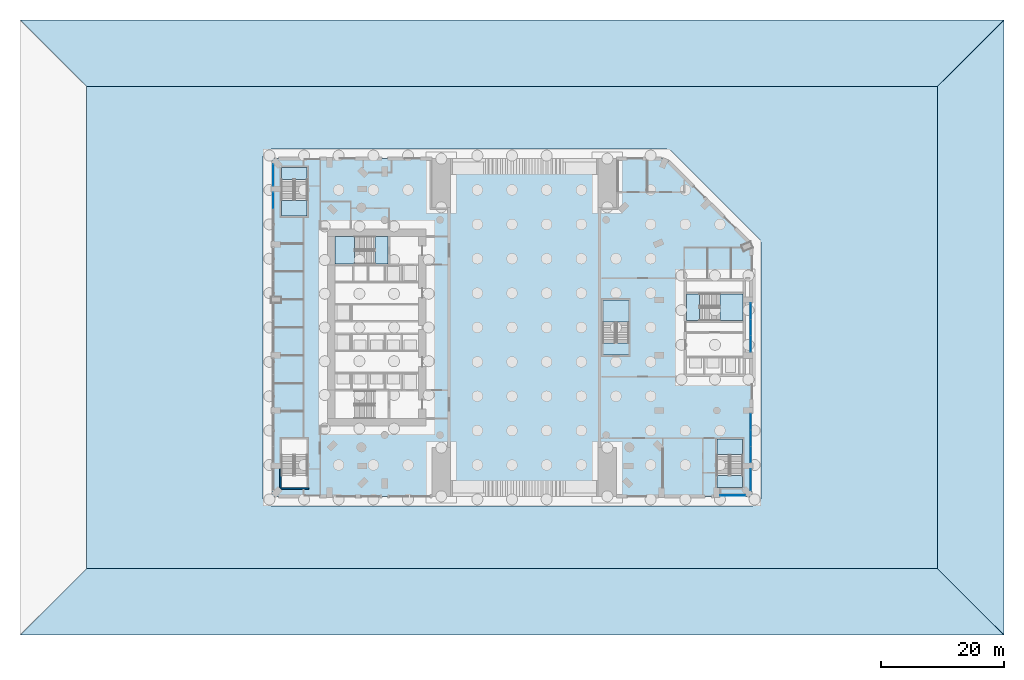
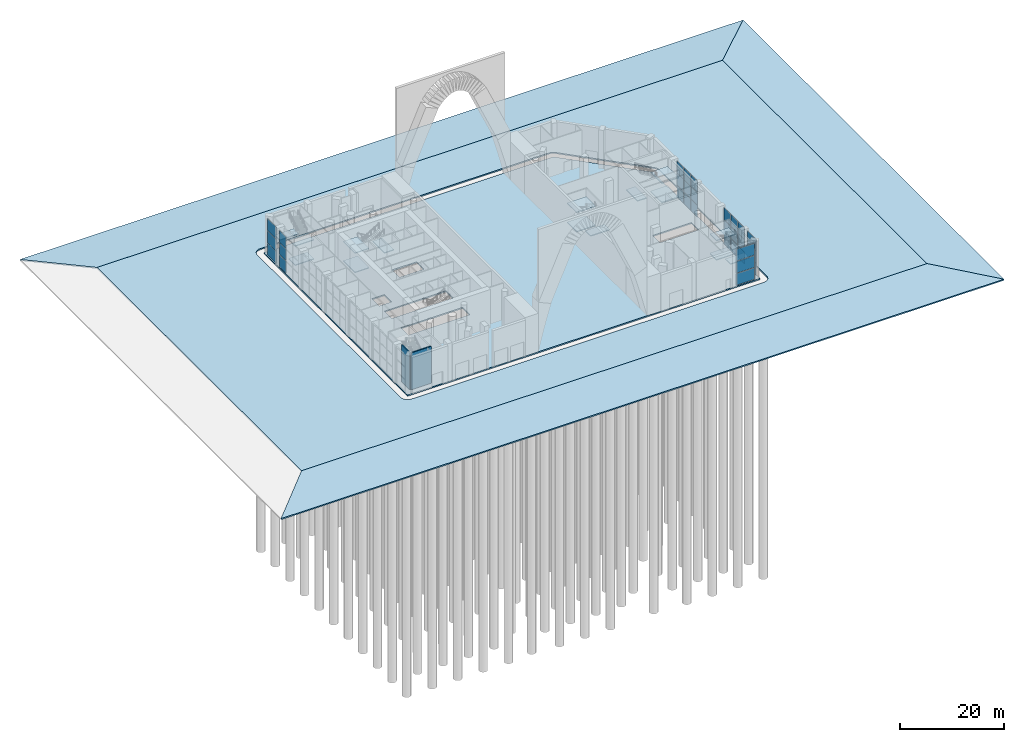
# One storey, part 8 of 25: 30 plates, 20 slabs, 2 walls, 11 elements without a shape of their own.
"""IFC4 building model written with IfcOpenShell, lengths in metres."""

from ifc_helpers import new_model, si_unit, direction, frame, frame_2d, origin, origin_2d, place, context, subcontext, project, spatial, polyline, rectangle, outline, extrude, material, layer, layer_set, type_object, element, aggregate, save


model = new_model("IFC4")

# Units and contexts
model_context = context("Model", 3, precision=1e-05, world=origin(), true_north=direction((0.0, 1.0)))
body_context = subcontext(model_context, "Body", "Model", "MODEL_VIEW")
ifc_project = project(units=[si_unit("LENGTHUNIT", "METRE"), si_unit("AREAUNIT", "SQUARE_METRE"), si_unit("VOLUMEUNIT", "CUBIC_METRE"), si_unit("PLANEANGLEUNIT", "RADIAN"), si_unit("MASSUNIT", "GRAM", prefix="KILO")], contexts=[model_context])

# Site, building, storey
site_placement = place(None, origin())
site = spatial("IfcSite", under=ifc_project, at=site_placement, CompositionType="ELEMENT")
building_placement = place(site_placement, origin())
building = spatial("IfcBuilding", under=site, at=building_placement, Name="Cypress Arch Tower", CompositionType="ELEMENT")
storey_placement = place(building_placement, origin())
storey = spatial("IfcBuildingStorey", under=building, at=storey_placement, Name="L00", CompositionType="ELEMENT", Elevation=0.0)

# Curtain wall, plates
ifc_material_1 = material(Name="Anodised aluminium, bronze finish, clear laminated low-emissivity double glazing", Category="aluminium")
curtain_wall_type = type_object("IfcCurtainWallType", Name="Curtain wall CW1 ground storefront", PredefinedType="NOTDEFINED", material=ifc_material_1)
curtain_wall_1_placement = place(storey_placement, origin())
curtain_wall_1 = element("IfcCurtainWall", 1, at=curtain_wall_1_placement, inside=storey, type_object=curtain_wall_type, Name="Curtain wall L00 P00.4.1", PredefinedType="NOTDEFINED")
ifc_material_2 = material(Name="Clear laminated low-emissivity double glazing", Category="glass")
ifc_layer_1 = layer(ifc_material_2, 0.035888671875)
ifc_layer_set_1 = layer_set([ifc_layer_1], Name="Glass panel CW1 36")
plate_type = type_object("IfcPlateType", Name="Glass panel CW1 36", PredefinedType="CURTAIN_PANEL", material=ifc_layer_set_1)
plate_1_placement = place(storey_placement, frame((35.896484375, -27.300048828125, 0.06494140625), z_axis=(0.0, 0.0, 1.0), x_axis=(1.0, 0.0, 0.0)))
plate_1 = element("IfcPlate", 2, at=plate_1_placement, type_object=plate_type, Name="CW1 panel 1.1", PredefinedType="CURTAIN_PANEL", context=body_context, shape_type="SweptSolid", body=[
    extrude(rectangle(XDim=4.06298828125, YDim=0.035888671875, at=origin_2d()), origin(), (0.0, 0.0, 1.0), 2.769287109375),
])
plate_2_placement = place(storey_placement, frame((35.896484375, -27.300048828125, 2.899169921875), z_axis=(0.0, 0.0, 1.0), x_axis=(1.0, 0.0, 0.0)))
plate_2 = element("IfcPlate", 3, at=plate_2_placement, type_object=plate_type, Name="CW1 panel 1.2", PredefinedType="CURTAIN_PANEL", context=body_context, shape_type="SweptSolid", body=[
    extrude(rectangle(XDim=4.06298828125, YDim=0.035888671875, at=origin_2d()), origin(), (0.0, 0.0, 1.0), 2.8017578125),
])
plate_3_placement = place(storey_placement, frame((35.896484375, -27.300048828125, 5.765625), z_axis=(0.0, 0.0, 1.0), x_axis=(1.0, 0.0, 0.0)))
plate_3 = element("IfcPlate", 4, at=plate_3_placement, type_object=plate_type, Name="CW1 panel 1.3", PredefinedType="CURTAIN_PANEL", context=body_context, shape_type="SweptSolid", body=[
    extrude(rectangle(XDim=4.06298828125, YDim=0.035888671875, at=origin_2d()), origin(), (0.0, 0.0, 1.0), 2.769287109375),
])
aggregate(curtain_wall_1, [plate_1, plate_2, plate_3])

curtain_wall_2_placement = place(storey_placement, origin())
curtain_wall_2 = element("IfcCurtainWall", 5, at=curtain_wall_2_placement, inside=storey, type_object=curtain_wall_type, Name="Curtain wall L00 P01.0.1", PredefinedType="NOTDEFINED")
plate_4_placement = place(storey_placement, frame((38.800048828125, -24.746337890625, 0.06494140625), z_axis=(0.0, 0.0, 1.0), x_axis=(0.0, 1.0, 0.0)))
plate_4 = element("IfcPlate", 6, at=plate_4_placement, type_object=plate_type, Name="CW1 panel 1.1", PredefinedType="CURTAIN_PANEL", context=body_context, shape_type="SweptSolid", body=[
    extrude(rectangle(XDim=3.36279296875, YDim=0.035888671875, at=origin_2d()), origin(), (0.0, 0.0, 1.0), 2.769287109375),
])
plate_5_placement = place(storey_placement, frame((38.800048828125, -24.746337890625, 2.899169921875), z_axis=(0.0, 0.0, 1.0), x_axis=(0.0, 1.0, 0.0)))
plate_5 = element("IfcPlate", 7, at=plate_5_placement, type_object=plate_type, Name="CW1 panel 1.2", PredefinedType="CURTAIN_PANEL", context=body_context, shape_type="SweptSolid", body=[
    extrude(rectangle(XDim=3.36279296875, YDim=0.035888671875, at=origin_2d()), origin(), (0.0, 0.0, 1.0), 2.8017578125),
])
plate_6_placement = place(storey_placement, frame((38.800048828125, -24.746337890625, 5.765625), z_axis=(0.0, 0.0, 1.0), x_axis=(0.0, 1.0, 0.0)))
plate_6 = element("IfcPlate", 8, at=plate_6_placement, type_object=plate_type, Name="CW1 panel 1.3", PredefinedType="CURTAIN_PANEL", context=body_context, shape_type="SweptSolid", body=[
    extrude(rectangle(XDim=3.36279296875, YDim=0.035888671875, at=origin_2d()), origin(), (0.0, 0.0, 1.0), 2.769287109375),
])
aggregate(curtain_wall_2, [plate_4, plate_5, plate_6])

curtain_wall_3_placement = place(storey_placement, origin())
curtain_wall_3 = element("IfcCurtainWall", 9, at=curtain_wall_3_placement, inside=storey, type_object=curtain_wall_type, Name="Curtain wall L00 P01.1.1", PredefinedType="NOTDEFINED")
plate_7_placement = place(storey_placement, frame((38.800048828125, -20.650390625, 0.06494140625), z_axis=(0.0, 0.0, 1.0), x_axis=(0.0, 1.0, 0.0)))
plate_7 = element("IfcPlate", 10, at=plate_7_placement, type_object=plate_type, Name="CW1 panel 1.1", PredefinedType="CURTAIN_PANEL", context=body_context, shape_type="SweptSolid", body=[
    extrude(rectangle(XDim=2.569091796875, YDim=0.035888671875, at=origin_2d()), origin(), (0.0, 0.0, 1.0), 2.769287109375),
])
plate_8_placement = place(storey_placement, frame((38.800048828125, -20.650390625, 2.899169921875), z_axis=(0.0, 0.0, 1.0), x_axis=(0.0, 1.0, 0.0)))
plate_8 = element("IfcPlate", 11, at=plate_8_placement, type_object=plate_type, Name="CW1 panel 1.2", PredefinedType="CURTAIN_PANEL", context=body_context, shape_type="SweptSolid", body=[
    extrude(rectangle(XDim=2.569091796875, YDim=0.035888671875, at=origin_2d()), origin(), (0.0, 0.0, 1.0), 2.8017578125),
])
plate_9_placement = place(storey_placement, frame((38.800048828125, -20.650390625, 5.765625), z_axis=(0.0, 0.0, 1.0), x_axis=(0.0, 1.0, 0.0)))
plate_9 = element("IfcPlate", 12, at=plate_9_placement, type_object=plate_type, Name="CW1 panel 1.3", PredefinedType="CURTAIN_PANEL", context=body_context, shape_type="SweptSolid", body=[
    extrude(rectangle(XDim=2.569091796875, YDim=0.035888671875, at=origin_2d()), origin(), (0.0, 0.0, 1.0), 2.769287109375),
])
plate_10_placement = place(storey_placement, frame((38.800048828125, -18.0, 0.06494140625), z_axis=(0.0, 0.0, 1.0), x_axis=(0.0, 1.0, 0.0)))
plate_10 = element("IfcPlate", 13, at=plate_10_placement, type_object=plate_type, Name="CW1 panel 2.1", PredefinedType="CURTAIN_PANEL", context=body_context, shape_type="SweptSolid", body=[
    extrude(rectangle(XDim=2.6015625, YDim=0.035888671875, at=origin_2d()), origin(), (0.0, 0.0, 1.0), 2.769287109375),
])
plate_11_placement = place(storey_placement, frame((38.800048828125, -18.0, 2.899169921875), z_axis=(0.0, 0.0, 1.0), x_axis=(0.0, 1.0, 0.0)))
plate_11 = element("IfcPlate", 14, at=plate_11_placement, type_object=plate_type, Name="CW1 panel 2.2", PredefinedType="CURTAIN_PANEL", context=body_context, shape_type="SweptSolid", body=[
    extrude(rectangle(XDim=2.6015625, YDim=0.035888671875, at=origin_2d()), origin(), (0.0, 0.0, 1.0), 2.8017578125),
])
plate_12_placement = place(storey_placement, frame((38.800048828125, -18.0, 5.765625), z_axis=(0.0, 0.0, 1.0), x_axis=(0.0, 1.0, 0.0)))
plate_12 = element("IfcPlate", 15, at=plate_12_placement, type_object=plate_type, Name="CW1 panel 2.3", PredefinedType="CURTAIN_PANEL", context=body_context, shape_type="SweptSolid", body=[
    extrude(rectangle(XDim=2.6015625, YDim=0.035888671875, at=origin_2d()), origin(), (0.0, 0.0, 1.0), 2.769287109375),
])
plate_13_placement = place(storey_placement, frame((38.800048828125, -15.349609375, 0.06494140625), z_axis=(0.0, 0.0, 1.0), x_axis=(0.0, 1.0, 0.0)))
plate_13 = element("IfcPlate", 16, at=plate_13_placement, type_object=plate_type, Name="CW1 panel 3.1", PredefinedType="CURTAIN_PANEL", context=body_context, shape_type="SweptSolid", body=[
    extrude(rectangle(XDim=2.569091796875, YDim=0.035888671875, at=origin_2d()), origin(), (0.0, 0.0, 1.0), 2.769287109375),
])
plate_14_placement = place(storey_placement, frame((38.800048828125, -15.349609375, 2.899169921875), z_axis=(0.0, 0.0, 1.0), x_axis=(0.0, 1.0, 0.0)))
plate_14 = element("IfcPlate", 17, at=plate_14_placement, type_object=plate_type, Name="CW1 panel 3.2", PredefinedType="CURTAIN_PANEL", context=body_context, shape_type="SweptSolid", body=[
    extrude(rectangle(XDim=2.569091796875, YDim=0.035888671875, at=origin_2d()), origin(), (0.0, 0.0, 1.0), 2.8017578125),
])
plate_15_placement = place(storey_placement, frame((38.800048828125, -15.349609375, 5.765625), z_axis=(0.0, 0.0, 1.0), x_axis=(0.0, 1.0, 0.0)))
plate_15 = element("IfcPlate", 18, at=plate_15_placement, type_object=plate_type, Name="CW1 panel 3.3", PredefinedType="CURTAIN_PANEL", context=body_context, shape_type="SweptSolid", body=[
    extrude(rectangle(XDim=2.569091796875, YDim=0.035888671875, at=origin_2d()), origin(), (0.0, 0.0, 1.0), 2.769287109375),
])
aggregate(curtain_wall_3, [plate_7, plate_8, plate_9, plate_10, plate_11, plate_12, plate_13, plate_14, plate_15])

curtain_wall_4_placement = place(storey_placement, origin())
curtain_wall_4 = element("IfcCurtainWall", 19, at=curtain_wall_4_placement, inside=storey, type_object=curtain_wall_type, Name="Curtain wall L00 P01.3.1", PredefinedType="NOTDEFINED")
plate_16_placement = place(storey_placement, frame((38.800048828125, -2.650390625, 0.06494140625), z_axis=(0.0, 0.0, 1.0), x_axis=(0.0, 1.0, 0.0)))
plate_16 = element("IfcPlate", 20, at=plate_16_placement, type_object=plate_type, Name="CW1 panel 1.1", PredefinedType="CURTAIN_PANEL", context=body_context, shape_type="SweptSolid", body=[
    extrude(rectangle(XDim=2.569091796875, YDim=0.035888671875, at=origin_2d()), origin(), (0.0, 0.0, 1.0), 2.769287109375),
])
plate_17_placement = place(storey_placement, frame((38.800048828125, -2.650390625, 2.899169921875), z_axis=(0.0, 0.0, 1.0), x_axis=(0.0, 1.0, 0.0)))
plate_17 = element("IfcPlate", 21, at=plate_17_placement, type_object=plate_type, Name="CW1 panel 1.2", PredefinedType="CURTAIN_PANEL", context=body_context, shape_type="SweptSolid", body=[
    extrude(rectangle(XDim=2.569091796875, YDim=0.035888671875, at=origin_2d()), origin(), (0.0, 0.0, 1.0), 2.8017578125),
])
plate_18_placement = place(storey_placement, frame((38.800048828125, -2.650390625, 5.765625), z_axis=(0.0, 0.0, 1.0), x_axis=(0.0, 1.0, 0.0)))
plate_18 = element("IfcPlate", 22, at=plate_18_placement, type_object=plate_type, Name="CW1 panel 1.3", PredefinedType="CURTAIN_PANEL", context=body_context, shape_type="SweptSolid", body=[
    extrude(rectangle(XDim=2.569091796875, YDim=0.035888671875, at=origin_2d()), origin(), (0.0, 0.0, 1.0), 2.769287109375),
])
plate_19_placement = place(storey_placement, frame((38.800048828125, 0.0, 0.06494140625), z_axis=(0.0, 0.0, 1.0), x_axis=(0.0, 1.0, 0.0)))
plate_19 = element("IfcPlate", 23, at=plate_19_placement, type_object=plate_type, Name="CW1 panel 2.1", PredefinedType="CURTAIN_PANEL", context=body_context, shape_type="SweptSolid", body=[
    extrude(rectangle(XDim=2.6015625, YDim=0.035888671875, at=origin_2d()), origin(), (0.0, 0.0, 1.0), 2.769287109375),
])
plate_20_placement = place(storey_placement, frame((38.800048828125, 0.0, 2.899169921875), z_axis=(0.0, 0.0, 1.0), x_axis=(0.0, 1.0, 0.0)))
plate_20 = element("IfcPlate", 24, at=plate_20_placement, type_object=plate_type, Name="CW1 panel 2.2", PredefinedType="CURTAIN_PANEL", context=body_context, shape_type="SweptSolid", body=[
    extrude(rectangle(XDim=2.6015625, YDim=0.035888671875, at=origin_2d()), origin(), (0.0, 0.0, 1.0), 2.8017578125),
])
plate_21_placement = place(storey_placement, frame((38.800048828125, 0.0, 5.765625), z_axis=(0.0, 0.0, 1.0), x_axis=(0.0, 1.0, 0.0)))
plate_21 = element("IfcPlate", 25, at=plate_21_placement, type_object=plate_type, Name="CW1 panel 2.3", PredefinedType="CURTAIN_PANEL", context=body_context, shape_type="SweptSolid", body=[
    extrude(rectangle(XDim=2.6015625, YDim=0.035888671875, at=origin_2d()), origin(), (0.0, 0.0, 1.0), 2.769287109375),
])
plate_22_placement = place(storey_placement, frame((38.800048828125, 2.650390625, 0.06494140625), z_axis=(0.0, 0.0, 1.0), x_axis=(0.0, 1.0, 0.0)))
plate_22 = element("IfcPlate", 26, at=plate_22_placement, type_object=plate_type, Name="CW1 panel 3.1", PredefinedType="CURTAIN_PANEL", context=body_context, shape_type="SweptSolid", body=[
    extrude(rectangle(XDim=2.569091796875, YDim=0.035888671875, at=origin_2d()), origin(), (0.0, 0.0, 1.0), 2.769287109375),
])
plate_23_placement = place(storey_placement, frame((38.800048828125, 2.650390625, 2.899169921875), z_axis=(0.0, 0.0, 1.0), x_axis=(0.0, 1.0, 0.0)))
plate_23 = element("IfcPlate", 27, at=plate_23_placement, type_object=plate_type, Name="CW1 panel 3.2", PredefinedType="CURTAIN_PANEL", context=body_context, shape_type="SweptSolid", body=[
    extrude(rectangle(XDim=2.569091796875, YDim=0.035888671875, at=origin_2d()), origin(), (0.0, 0.0, 1.0), 2.8017578125),
])
plate_24_placement = place(storey_placement, frame((38.800048828125, 2.650390625, 5.765625), z_axis=(0.0, 0.0, 1.0), x_axis=(0.0, 1.0, 0.0)))
plate_24 = element("IfcPlate", 28, at=plate_24_placement, type_object=plate_type, Name="CW1 panel 3.3", PredefinedType="CURTAIN_PANEL", context=body_context, shape_type="SweptSolid", body=[
    extrude(rectangle(XDim=2.569091796875, YDim=0.035888671875, at=origin_2d()), origin(), (0.0, 0.0, 1.0), 2.769287109375),
])
aggregate(curtain_wall_4, [plate_16, plate_17, plate_18, plate_19, plate_20, plate_21, plate_22, plate_23, plate_24])

curtain_wall_5_placement = place(storey_placement, origin())
curtain_wall_5 = element("IfcCurtainWall", 29, at=curtain_wall_5_placement, inside=storey, type_object=curtain_wall_type, Name="Curtain wall L00 P04.0.1", PredefinedType="NOTDEFINED")
plate_25_placement = place(storey_placement, frame((-38.800048828125, 24.746337890625, 0.06494140625), z_axis=(0.0, 0.0, 1.0), x_axis=(0.0, -1.0, 0.0)))
plate_25 = element("IfcPlate", 30, at=plate_25_placement, type_object=plate_type, Name="CW1 panel 1.1", PredefinedType="CURTAIN_PANEL", context=body_context, shape_type="SweptSolid", body=[
    extrude(rectangle(XDim=3.36279296875, YDim=0.035888671875, at=origin_2d()), origin(), (0.0, 0.0, 1.0), 2.769287109375),
])
plate_26_placement = place(storey_placement, frame((-38.800048828125, 24.746337890625, 2.899169921875), z_axis=(0.0, 0.0, 1.0), x_axis=(0.0, -1.0, 0.0)))
plate_26 = element("IfcPlate", 31, at=plate_26_placement, type_object=plate_type, Name="CW1 panel 1.2", PredefinedType="CURTAIN_PANEL", context=body_context, shape_type="SweptSolid", body=[
    extrude(rectangle(XDim=3.36279296875, YDim=0.035888671875, at=origin_2d()), origin(), (0.0, 0.0, 1.0), 2.8017578125),
])
plate_27_placement = place(storey_placement, frame((-38.800048828125, 24.746337890625, 5.765625), z_axis=(0.0, 0.0, 1.0), x_axis=(0.0, -1.0, 0.0)))
plate_27 = element("IfcPlate", 32, at=plate_27_placement, type_object=plate_type, Name="CW1 panel 1.3", PredefinedType="CURTAIN_PANEL", context=body_context, shape_type="SweptSolid", body=[
    extrude(rectangle(XDim=3.36279296875, YDim=0.035888671875, at=origin_2d()), origin(), (0.0, 0.0, 1.0), 2.769287109375),
])
aggregate(curtain_wall_5, [plate_25, plate_26, plate_27])

curtain_wall_6_placement = place(storey_placement, origin())
curtain_wall_6 = element("IfcCurtainWall", 33, at=curtain_wall_6_placement, inside=storey, type_object=curtain_wall_type, Name="Curtain wall L00 P04.1.1", PredefinedType="NOTDEFINED")
plate_28_placement = place(storey_placement, frame((-38.800048828125, 20.650390625, 0.06494140625), z_axis=(0.0, 0.0, 1.0), x_axis=(0.0, -1.0, 0.0)))
plate_28 = element("IfcPlate", 34, at=plate_28_placement, type_object=plate_type, Name="CW1 panel 1.1", PredefinedType="CURTAIN_PANEL", context=body_context, shape_type="SweptSolid", body=[
    extrude(rectangle(XDim=2.569091796875, YDim=0.035888671875, at=origin_2d()), origin(), (0.0, 0.0, 1.0), 2.769287109375),
])
plate_29_placement = place(storey_placement, frame((-38.800048828125, 20.650390625, 2.899169921875), z_axis=(0.0, 0.0, 1.0), x_axis=(0.0, -1.0, 0.0)))
plate_29 = element("IfcPlate", 35, at=plate_29_placement, type_object=plate_type, Name="CW1 panel 1.2", PredefinedType="CURTAIN_PANEL", context=body_context, shape_type="SweptSolid", body=[
    extrude(rectangle(XDim=2.569091796875, YDim=0.035888671875, at=origin_2d()), origin(), (0.0, 0.0, 1.0), 2.8017578125),
])
plate_30_placement = place(storey_placement, frame((-38.800048828125, 20.650390625, 5.765625), z_axis=(0.0, 0.0, 1.0), x_axis=(0.0, -1.0, 0.0)))
plate_30 = element("IfcPlate", 36, at=plate_30_placement, type_object=plate_type, Name="CW1 panel 1.3", PredefinedType="CURTAIN_PANEL", context=body_context, shape_type="SweptSolid", body=[
    extrude(rectangle(XDim=2.569091796875, YDim=0.035888671875, at=origin_2d()), origin(), (0.0, 0.0, 1.0), 2.769287109375),
])
aggregate(curtain_wall_6, [plate_28, plate_29, plate_30])

# Slabs
ifc_material_3 = material(Name="Concrete C40/50", Category="concrete")
ifc_layer_2 = layer(ifc_material_3, 0.300048828125)
ifc_layer_set_2 = layer_set([ifc_layer_2], Name="Ground slab 300 Concrete C40/50")
slab_type_1 = type_object("IfcSlabType", Name="Ground slab 300 Concrete C40/50", PredefinedType="BASESLAB", material=ifc_layer_set_2)
slab_1_placement = place(storey_placement, frame((0.0, 0.0, -0.300048828125)))
element("IfcSlab", 37, at=slab_1_placement, inside=storey, type_object=slab_type_1, Name="Ground slab L00", PredefinedType="BASESLAB", context=body_context, shape_type="SweptSolid", body=[
    extrude(outline(polyline([(-39.0, 27.5), (25.0, 27.5), (39.0, 13.5), (39.0, -27.5), (-39.0, -27.5), (-39.0, 27.5)]), holes=[polyline([(-26.080078125, -7.39990234375), (-28.800048828125, -7.39990234375), (-28.800048828125, -10.199951171875), (-26.080078125, -10.199951171875), (-23.360107421875, -10.199951171875), (-20.639892578125, -10.199951171875), (-17.919921875, -10.199951171875), (-15.199951171875, -10.199951171875), (-15.199951171875, -7.39990234375), (-17.919921875, -7.39990234375), (-20.639892578125, -7.39990234375), (-23.360107421875, -7.39990234375), (-26.080078125, -7.39990234375)]), polyline([(-26.080078125, -1.0), (-28.800048828125, -1.0), (-28.800048828125, -3.800048828125), (-26.080078125, -3.800048828125), (-23.360107421875, -3.800048828125), (-20.639892578125, -3.800048828125), (-17.919921875, -3.800048828125), (-15.199951171875, -3.800048828125), (-15.199951171875, -1.0), (-17.919921875, -1.0), (-20.639892578125, -1.0), (-23.360107421875, -1.0), (-26.080078125, -1.0)]), polyline([(-26.080078125, 3.800048828125), (-28.800048828125, 3.800048828125), (-28.800048828125, 1.0), (-26.080078125, 1.0), (-26.080078125, 3.800048828125)]), polyline([(31.25, -4.800048828125), (28.39990234375, -4.800048828125), (28.39990234375, -7.60009765625), (31.25, -7.60009765625), (34.10009765625, -7.60009765625), (36.949951171875, -7.60009765625), (36.949951171875, -4.800048828125), (34.10009765625, -4.800048828125), (31.25, -4.800048828125)]), polyline([(-17.919921875, 10.199951171875), (-20.639892578125, 10.199951171875), (-20.639892578125, 7.39990234375), (-17.919921875, 7.39990234375), (-15.199951171875, 7.39990234375), (-15.199951171875, 10.199951171875), (-17.919921875, 10.199951171875)])]), origin(), (0.0, 0.0, 1.0), 0.300048828125),
])
ifc_material_4 = material(Name="Concrete C40/50, clay pavers", Category="concrete")
ifc_layer_3 = layer(ifc_material_4, 0.300048828125)
ifc_layer_set_3 = layer_set([ifc_layer_3], Name="Paving PV300")
slab_type_2 = type_object("IfcSlabType", Name="Paving PV300", PredefinedType="USERDEFINED", material=ifc_layer_set_3)
slab_2_placement = place(storey_placement, frame((0.0, 0.0, -0.300048828125)))
element("IfcSlab", 38, at=slab_2_placement, inside=storey, type_object=slab_type_2, Name="Plaza paving", ObjectType="PAVING", PredefinedType="USERDEFINED", context=body_context, shape_type="SweptSolid", body=[
    extrude(outline(polyline([(-69.199951171875, -39.199951171875), (-69.199951171875, 39.199951171875), (69.199951171875, 39.199951171875), (69.199951171875, -39.199951171875), (-69.199951171875, -39.199951171875)]), holes=[polyline([(-40.49267578125, -27.64697265625), (-40.47119140625, -27.792724609375), (-40.435302734375, -27.935546875), (-40.3857421875, -28.073974609375), (-40.322998046875, -28.20703125), (-40.247314453125, -28.333251953125), (-40.159423828125, -28.45166015625), (-40.060546875, -28.560546875), (-39.95166015625, -28.659423828125), (-39.833251953125, -28.747314453125), (-39.70703125, -28.822998046875), (-39.573974609375, -28.8857421875), (-39.435546875, -28.935302734375), (-39.292724609375, -28.97119140625), (-39.14697265625, -28.99267578125), (-39.0, -29.0), (39.0, -29.0), (39.14697265625, -28.99267578125), (39.292724609375, -28.97119140625), (39.435546875, -28.935302734375), (39.573974609375, -28.8857421875), (39.70703125, -28.822998046875), (39.833251953125, -28.747314453125), (39.95166015625, -28.659423828125), (40.060546875, -28.560546875), (40.159423828125, -28.45166015625), (40.247314453125, -28.333251953125), (40.322998046875, -28.20703125), (40.3857421875, -28.073974609375), (40.435302734375, -27.935546875), (40.47119140625, -27.792724609375), (40.49267578125, -27.64697265625), (40.5, -27.5), (40.5, 13.5), (40.49267578125, 13.64697265625), (40.47119140625, 13.792724609375), (40.435302734375, 13.935546875), (40.3857421875, 14.073974609375), (40.322998046875, 14.20703125), (40.247314453125, 14.333251953125), (40.159423828125, 14.45166015625), (40.060546875, 14.560546875), (26.060546875, 28.560546875), (25.95166015625, 28.659423828125), (25.833251953125, 28.747314453125), (25.70703125, 28.822998046875), (25.573974609375, 28.8857421875), (25.435546875, 28.935302734375), (25.292724609375, 28.97119140625), (25.14697265625, 28.99267578125), (25.0, 29.0), (-39.0, 29.0), (-39.14697265625, 28.99267578125), (-39.292724609375, 28.97119140625), (-39.435546875, 28.935302734375), (-39.573974609375, 28.8857421875), (-39.70703125, 28.822998046875), (-39.833251953125, 28.747314453125), (-39.95166015625, 28.659423828125), (-40.060546875, 28.560546875), (-40.159423828125, 28.45166015625), (-40.247314453125, 28.333251953125), (-40.322998046875, 28.20703125), (-40.3857421875, 28.073974609375), (-40.435302734375, 27.935546875), (-40.47119140625, 27.792724609375), (-40.49267578125, 27.64697265625), (-40.5, 27.5), (-40.5, -27.5), (-40.49267578125, -27.64697265625)])]), origin(), (0.0, 0.0, 1.0), 0.300048828125),
])
for number, where, z_axis, x_axis, name in (
    (39, (-69.199951171875, 39.199951171875, 0.0), (0.0, 0.083036158149, 0.99654653501), (1.0, 0.0, 0.0), "Street ramp N"),
    (40, (69.199951171875, -39.199951171875, 0.0), (0.0, -0.083036158149, 0.99654653501), (-1.0, 0.0, 0.0), "Street ramp S"),
):
    element("IfcSlab", number, at=place(storey_placement, frame(where, z_axis=z_axis, x_axis=x_axis)), inside=storey, type_object=slab_type_2, Name=name, ObjectType="PAVING", PredefinedType="USERDEFINED", context=body_context, shape_type="SweptSolid", body=[
        extrude(outline(polyline([(0.0, 0.0), (138.39990234375, 0.0), (149.199951171875, 10.837475670937902), (-10.800048828125, 10.837475670937902), (0.0, 0.0)])), origin(), (0.0, 0.0, -1.0), 0.300048828125),
    ])
slab_3_placement = place(storey_placement, frame((69.199951171875, 39.199951171875, 0.0), z_axis=(0.083036158149, 0.0, 0.99654653501), x_axis=(0.0, -1.0, 0.0)))
element("IfcSlab", 41, at=slab_3_placement, inside=storey, type_object=slab_type_2, Name="Street ramp E", ObjectType="PAVING", PredefinedType="USERDEFINED", context=body_context, shape_type="SweptSolid", body=[
    extrude(outline(polyline([(0.0, 0.0), (78.39990234375, 0.0), (89.199951171875, 10.837475670937902), (-10.800048828125, 10.837475670937902), (0.0, 0.0)])), origin(), (0.0, 0.0, -1.0), 0.300048828125),
])

# Stair, slabs
ifc_material_5 = material(Name="Concrete C40/50", Category="concrete")
stair_type_1 = type_object("IfcStairType", Name="Exit stair ES1731-215", PredefinedType="HALF_TURN_STAIR", material=ifc_material_5)
stair_1_placement = place(storey_placement, origin())
stair_1 = element("IfcStair", 42, at=stair_1_placement, inside=storey, type_object=stair_type_1, Name="L00 Exit stair B", PredefinedType="HALF_TURN_STAIR")
ifc_material_6 = material(Name="Concrete C40/50", Category="concrete")
ifc_layer_4 = layer(ifc_material_6, 0.199951171875)
ifc_layer_set_4 = layer_set([ifc_layer_4], Name="Stair landing SL200")
slab_type_3 = type_object("IfcSlabType", Name="Stair landing SL200", PredefinedType="LANDING", material=ifc_layer_set_4)
slab_4_placement = place(storey_placement, frame((0.0, 0.0, 2.050048828125)))
slab_4 = element("IfcSlab", 43, at=slab_4_placement, type_object=slab_type_3, Name="B landing 1", PredefinedType="LANDING", context=body_context, shape_type="SweptSolid", body=[
    extrude(outline(polyline([(-25.635009765625, 14.800048828125), (-28.800048828125, 14.800048828125), (-28.800048828125, 10.324951171875), (-25.635009765625, 10.324951171875), (-25.635009765625, 14.800048828125)])), origin(), (0.0, 0.0, 1.0), 0.199951171875),
])
slab_5_placement = place(storey_placement, frame((0.0, 0.0, 4.300048828125)))
slab_5 = element("IfcSlab", 44, at=slab_5_placement, type_object=slab_type_3, Name="B landing 2", PredefinedType="LANDING", context=body_context, shape_type="SweptSolid", body=[
    extrude(outline(polyline([(-20.125, 14.800048828125), (-22.27490234375, 14.800048828125), (-22.27490234375, 10.324951171875), (-20.125, 10.324951171875), (-20.125, 14.800048828125)])), origin(), (0.0, 0.0, 1.0), 0.199951171875),
])
slab_6_placement = place(storey_placement, frame((0.0, 0.0, 6.550048828125)))
slab_6 = element("IfcSlab", 45, at=slab_6_placement, type_object=slab_type_3, Name="B landing 3", PredefinedType="LANDING", context=body_context, shape_type="SweptSolid", body=[
    extrude(outline(polyline([(-25.635009765625, 14.800048828125), (-28.800048828125, 14.800048828125), (-28.800048828125, 10.324951171875), (-25.635009765625, 10.324951171875), (-25.635009765625, 14.800048828125)])), origin(), (0.0, 0.0, 1.0), 0.199951171875),
])
aggregate(stair_1, [slab_4, slab_5, slab_6])

ifc_material_7 = material(Name="Concrete C40/50", Category="concrete")
stair_type_2 = type_object("IfcStairType", Name="Exit stair ES1731-200", PredefinedType="HALF_TURN_STAIR", material=ifc_material_7)
stair_2_placement = place(storey_placement, origin())
stair_2 = element("IfcStair", 46, at=stair_2_placement, inside=storey, type_object=stair_type_2, Name="L00 Exit stair C", PredefinedType="HALF_TURN_STAIR")
slab_7_placement = place(storey_placement, frame((0.0, 0.0, 2.050048828125)))
slab_7 = element("IfcSlab", 47, at=slab_7_placement, type_object=slab_type_3, Name="C landing 1", PredefinedType="LANDING", context=body_context, shape_type="SweptSolid", body=[
    extrude(outline(polyline([(19.0, 0.860107421875), (19.0, 4.5), (14.800048828125, 4.5), (14.800048828125, 0.860107421875), (19.0, 0.860107421875)])), origin(), (0.0, 0.0, 1.0), 0.199951171875),
])
slab_8_placement = place(storey_placement, frame((0.0, 0.0, 4.300048828125)))
slab_8 = element("IfcSlab", 48, at=slab_8_placement, type_object=slab_type_3, Name="C landing 2", PredefinedType="LANDING", context=body_context, shape_type="SweptSolid", body=[
    extrude(outline(polyline([(19.0, -4.5), (19.0, -2.5), (14.800048828125, -2.5), (14.800048828125, -4.5), (19.0, -4.5)])), origin(), (0.0, 0.0, 1.0), 0.199951171875),
])
slab_9_placement = place(storey_placement, frame((0.0, 0.0, 6.550048828125)))
slab_9 = element("IfcSlab", 49, at=slab_9_placement, type_object=slab_type_3, Name="C landing 3", PredefinedType="LANDING", context=body_context, shape_type="SweptSolid", body=[
    extrude(outline(polyline([(19.0, 0.860107421875), (19.0, 4.5), (14.800048828125, 4.5), (14.800048828125, 0.860107421875), (19.0, 0.860107421875)])), origin(), (0.0, 0.0, 1.0), 0.199951171875),
])
aggregate(stair_2, [slab_7, slab_8, slab_9])

stair_3_placement = place(storey_placement, origin())
stair_3 = element("IfcStair", 50, at=stair_3_placement, inside=storey, type_object=stair_type_2, Name="L00 Exit stair P2", PredefinedType="HALF_TURN_STAIR")
slab_10_placement = place(storey_placement, frame((0.0, 0.0, 2.050048828125)))
slab_10 = element("IfcSlab", 51, at=slab_10_placement, type_object=slab_type_3, Name="P2 landing 1", PredefinedType="LANDING", context=body_context, shape_type="SweptSolid", body=[
    extrude(outline(polyline([(-37.5, 20.68994140625), (-37.5, 18.1298828125), (-33.300048828125, 18.1298828125), (-33.300048828125, 20.68994140625), (-37.5, 20.68994140625)])), origin(), (0.0, 0.0, 1.0), 0.199951171875),
])
slab_11_placement = place(storey_placement, frame((0.0, 0.0, 4.300048828125)))
slab_11 = element("IfcSlab", 52, at=slab_11_placement, type_object=slab_type_3, Name="P2 landing 2", PredefinedType="LANDING", context=body_context, shape_type="SweptSolid", body=[
    extrude(outline(polyline([(-37.5, 26.050048828125), (-37.5, 24.050048828125), (-33.300048828125, 24.050048828125), (-33.300048828125, 26.050048828125), (-37.5, 26.050048828125)])), origin(), (0.0, 0.0, 1.0), 0.199951171875),
])
slab_12_placement = place(storey_placement, frame((0.0, 0.0, 6.550048828125)))
slab_12 = element("IfcSlab", 53, at=slab_12_placement, type_object=slab_type_3, Name="P2 landing 3", PredefinedType="LANDING", context=body_context, shape_type="SweptSolid", body=[
    extrude(outline(polyline([(-37.5, 20.68994140625), (-37.5, 18.1298828125), (-33.300048828125, 18.1298828125), (-33.300048828125, 20.68994140625), (-37.5, 20.68994140625)])), origin(), (0.0, 0.0, 1.0), 0.199951171875),
])
aggregate(stair_3, [slab_10, slab_11, slab_12])

ifc_material_8 = material(Name="Concrete C40/50", Category="concrete")
stair_type_3 = type_object("IfcStairType", Name="Exit stair ES1731-205", PredefinedType="HALF_TURN_STAIR", material=ifc_material_8)
stair_4_placement = place(storey_placement, origin())
stair_4 = element("IfcStair", 54, at=stair_4_placement, inside=storey, type_object=stair_type_3, Name="L00 Exit stair P3", PredefinedType="HALF_TURN_STAIR")
slab_13_placement = place(storey_placement, frame((0.0, 0.0, 2.050048828125)))
slab_13 = element("IfcSlab", 55, at=slab_13_placement, type_object=slab_type_3, Name="P3 landing 1", PredefinedType="LANDING", context=body_context, shape_type="SweptSolid", body=[
    extrude(outline(polyline([(33.81005859375, 1.125), (37.60009765625, 1.125), (37.60009765625, 5.47509765625), (33.81005859375, 5.47509765625), (33.81005859375, 1.125)])), origin(), (0.0, 0.0, 1.0), 0.199951171875),
])
slab_14_placement = place(storey_placement, frame((0.0, 0.0, 4.300048828125)))
slab_14 = element("IfcSlab", 56, at=slab_14_placement, type_object=slab_type_3, Name="P3 landing 2", PredefinedType="LANDING", context=body_context, shape_type="SweptSolid", body=[
    extrude(outline(polyline([(28.39990234375, 1.125), (30.449951171875, 1.125), (30.449951171875, 5.47509765625), (28.39990234375, 5.47509765625), (28.39990234375, 1.125)])), origin(), (0.0, 0.0, 1.0), 0.199951171875),
])
slab_15_placement = place(storey_placement, frame((0.0, 0.0, 6.550048828125)))
slab_15 = element("IfcSlab", 57, at=slab_15_placement, type_object=slab_type_3, Name="P3 landing 3", PredefinedType="LANDING", context=body_context, shape_type="SweptSolid", body=[
    extrude(outline(polyline([(33.81005859375, 1.125), (37.60009765625, 1.125), (37.60009765625, 5.47509765625), (33.81005859375, 5.47509765625), (33.81005859375, 1.125)])), origin(), (0.0, 0.0, 1.0), 0.199951171875),
])
aggregate(stair_4, [slab_13, slab_14, slab_15])

stair_5_placement = place(storey_placement, origin())
stair_5 = element("IfcStair", 58, at=stair_5_placement, inside=storey, type_object=stair_type_2, Name="L00 Exit stair P4", PredefinedType="HALF_TURN_STAIR")
slab_16_placement = place(storey_placement, frame((0.0, 0.0, 2.050048828125)))
slab_16 = element("IfcSlab", 59, at=slab_16_placement, type_object=slab_type_3, Name="P4 landing 1", PredefinedType="LANDING", context=body_context, shape_type="SweptSolid", body=[
    extrude(outline(polyline([(37.5, -20.68994140625), (37.5, -18.1298828125), (33.300048828125, -18.1298828125), (33.300048828125, -20.68994140625), (37.5, -20.68994140625)])), origin(), (0.0, 0.0, 1.0), 0.199951171875),
])
slab_17_placement = place(storey_placement, frame((0.0, 0.0, 4.300048828125)))
slab_17 = element("IfcSlab", 60, at=slab_17_placement, type_object=slab_type_3, Name="P4 landing 2", PredefinedType="LANDING", context=body_context, shape_type="SweptSolid", body=[
    extrude(outline(polyline([(37.5, -26.050048828125), (37.5, -24.050048828125), (33.300048828125, -24.050048828125), (33.300048828125, -26.050048828125), (37.5, -26.050048828125)])), origin(), (0.0, 0.0, 1.0), 0.199951171875),
])
slab_18_placement = place(storey_placement, frame((0.0, 0.0, 6.550048828125)))
slab_18 = element("IfcSlab", 61, at=slab_18_placement, type_object=slab_type_3, Name="P4 landing 3", PredefinedType="LANDING", context=body_context, shape_type="SweptSolid", body=[
    extrude(outline(polyline([(37.5, -20.68994140625), (37.5, -18.1298828125), (33.300048828125, -18.1298828125), (33.300048828125, -20.68994140625), (37.5, -20.68994140625)])), origin(), (0.0, 0.0, 1.0), 0.199951171875),
])
aggregate(stair_5, [slab_16, slab_17, slab_18])

# Walls
ifc_material_9 = material(Name="Concrete C50/60", Category="concrete")
ifc_layer_5 = layer(ifc_material_9, 0.25)
ifc_layer_set_5 = layer_set([ifc_layer_5], Name="Stair enclosure wall SW250")
wall_type = type_object("IfcWallType", Name="Stair enclosure wall SW250", PredefinedType="SHEAR", material=ifc_layer_set_5)
wall_1_placement = place(storey_placement, frame((-37.625, -26.09521484375, 0.0), z_axis=(0.0, 0.0, 1.0), x_axis=(0.0, 1.0, 0.0)))
element("IfcWall", 62, at=wall_1_placement, inside=storey, type_object=wall_type, Name="Stair enclosure wall", PredefinedType="SHEAR", context=body_context, shape_type="SweptSolid", body=[
    extrude(rectangle(XDim=3.09521484375, YDim=0.25, at=frame_2d((1.547607421875, 0.0))), origin(), (0.0, 0.0, 1.0), 8.60009765625),
])
wall_2_placement = place(storey_placement, frame((-37.545166015625, -26.175048828125, 0.0), z_axis=(0.0, 0.0, 1.0), x_axis=(1.0, 0.0, 0.0)))
element("IfcWall", 63, at=wall_2_placement, inside=storey, type_object=wall_type, Name="Stair enclosure wall", PredefinedType="SHEAR", context=body_context, shape_type="SweptSolid", body=[
    extrude(rectangle(XDim=4.4951171875, YDim=0.25, at=frame_2d((2.24755859375, 0.0))), origin(), (0.0, 0.0, 1.0), 8.60009765625),
])

save(model, "model.ifc")
